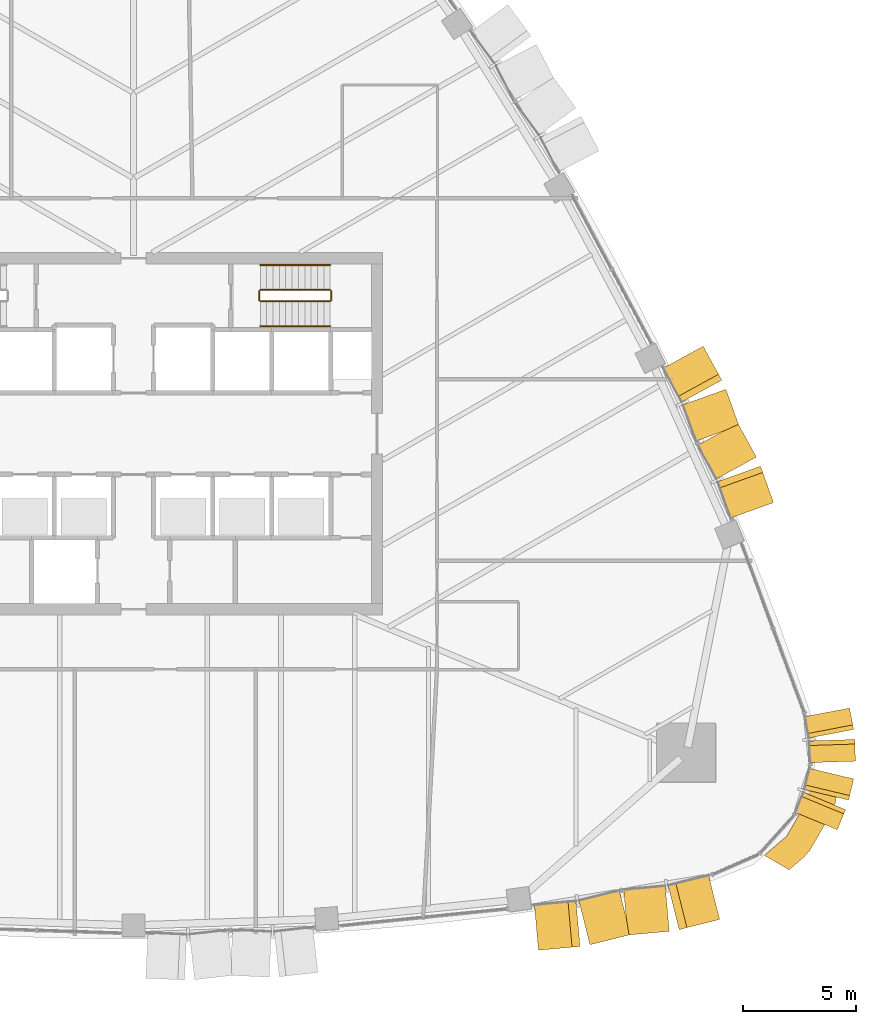
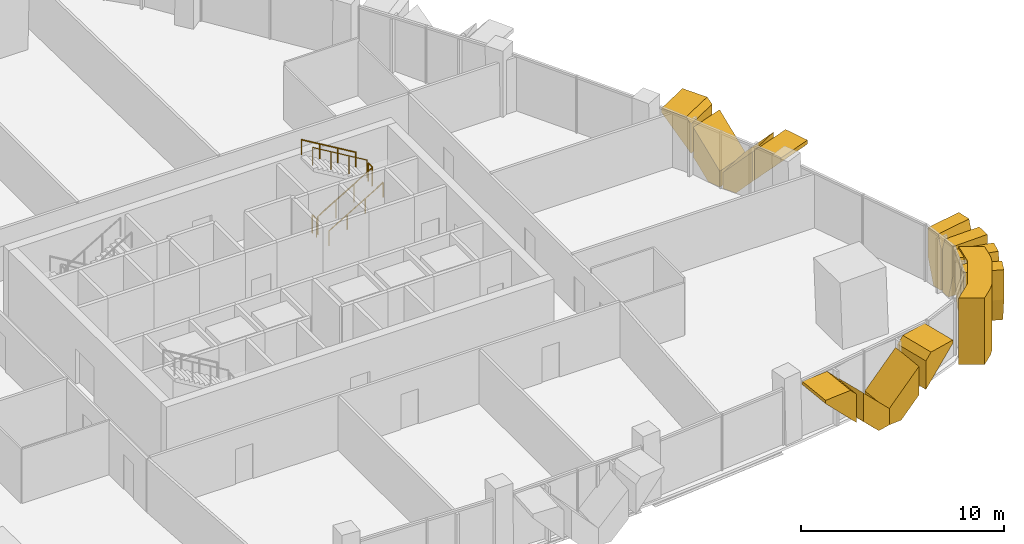
# One storey, part 15 of 17: 13 coverings, 6 railings.
"""IFC4 building model written with IfcOpenShell, lengths in metres."""

from ifc_helpers import new_model, si_unit, direction, frame, origin, origin_2d, place, context, subcontext, project, spatial, polyline, circle, outline, extrude, material, layer, layer_set, type_object, element, save


model = new_model("IFC4")

# Units and contexts
model_context = context("Model", 3, precision=1e-05, world=origin(), true_north=direction((0.0, 1.0)))
body_context = subcontext(model_context, "Body", "Model", "MODEL_VIEW")
ifc_project = project(units=[si_unit("LENGTHUNIT", "METRE"), si_unit("AREAUNIT", "SQUARE_METRE"), si_unit("VOLUMEUNIT", "CUBIC_METRE"), si_unit("PLANEANGLEUNIT", "RADIAN"), si_unit("MASSUNIT", "GRAM", prefix="KILO")], contexts=[model_context])

# Site, building, storey
site_placement = place(None, origin())
site = spatial("IfcSite", under=ifc_project, at=site_placement, CompositionType="ELEMENT")
building_placement = place(site_placement, origin())
building = spatial("IfcBuilding", under=site, at=building_placement, Name="Sierra Prisma Convention Tower", CompositionType="ELEMENT")
storey_placement = place(building_placement, frame((0.0, 0.0, 149.800048828125)))
storey = spatial("IfcBuildingStorey", under=building, at=storey_placement, Name="L32", CompositionType="ELEMENT", Elevation=149.800048828125)

# Coverings
ifc_material_1 = material(Name="Aluminium composite bronze anodised", Category="aluminium")
ifc_layer_1 = layer(ifc_material_1, 1.199951171875)
ifc_layer_set_1 = layer_set([ifc_layer_1], Name="Bronze corner pier")
covering_type_1 = type_object("IfcCoveringType", Name="Bronze corner pier", PredefinedType="CLADDING", material=ifc_layer_set_1)
covering_1_placement = place(storey_placement, frame((0.0, 0.0, -0.60009765625)))
element("IfcCovering", 1, at=covering_1_placement, inside=storey, type_object=covering_type_1, Name="Corner pier SE L32.1", PredefinedType="CLADDING", context=body_context, shape_type="SweptSolid", body=[
    extrude(outline(polyline([(30.986083984375, -16.313720703125), (30.845947265625, -16.692626953125), (29.879150390625, -18.366943359375), (29.62109375, -18.677978515625), (28.94921875, -19.254150390625), (27.84765625, -18.6181640625), (28.840087890625, -17.76708984375), (29.806640625, -16.0927734375), (30.047607421875, -14.8076171875), (31.149169921875, -15.443603515625), (30.986083984375, -16.313720703125)])), origin(), (0.0, 0.0, 1.0), 4.0),
])
ifc_material_2 = material(Name="Aluminium 6063-T6 bronze anodised", Category="aluminium")
ifc_layer_2 = layer(ifc_material_2, 2.0)
ifc_layer_set_2 = layer_set([ifc_layer_2], Name="Bronze crystal chevron frame")
covering_type_2 = type_object("IfcCoveringType", Name="Bronze crystal chevron frame", PredefinedType="CLADDING", material=ifc_layer_set_2)
covering_2_placement = place(storey_placement, frame((17.878173828125, -22.8037109375, 3.280029296875), z_axis=(0.089224557646, -0.996011535187, 9.385725e-06), x_axis=(8.37437e-07, -9.348291e-06, -0.999999999956)))
element("IfcCovering", 2, at=covering_2_placement, inside=storey, type_object=covering_type_2, Name="CW-2 chevron frame S6.1.1", PredefinedType="CLADDING", context=body_context, shape_type="SweptSolid", body=[
    extrude(outline(polyline([(0.0, 0.0), (0.19628906249135428, 0.0), (2.0693359374404694, 1.8442695661450614), (0.3588867187658075, 1.8442695661450614), (-1.6796807726959624e-10, 1.4910560431460478), (0.0, 0.0)])), origin(), (0.0, 0.0, -1.0), 2.0),
])
covering_3_placement = place(storey_placement, frame((20.15234375, -22.56494140625, 2.7890625), z_axis=(0.243984367503, -0.969779164344, 2.8621055e-05), x_axis=(6.98309e-06, -2.7756103e-05, -0.99999999959)))
element("IfcCovering", 3, at=covering_3_placement, inside=storey, type_object=covering_type_2, Name="CW-2 chevron frame S6.1.2", PredefinedType="CLADDING", context=body_context, shape_type="SweptSolid", body=[
    extrude(outline(polyline([(0.0, 0.0), (1.71020507742453, -1.4486000477334897e-21), (2.789062501892719, 1.0621010034346239), (2.7890624997414113, 1.8443030640584548), (1.873046875116595, 1.8443030640584548), (0.0, 0.0)])), origin(), (0.0, 0.0, -1.0), 2.0),
])
covering_4_placement = place(storey_placement, frame((22.597412109375, -22.06591796875, 0.0), z_axis=(0.089229638606, -0.996011079986, -1.1842715e-05), x_axis=(0.698751043897, 0.062590532376, 0.712621501156)))
element("IfcCovering", 4, at=covering_4_placement, inside=storey, type_object=covering_type_2, Name="CW-2 chevron frame S6.2.1", PredefinedType="CLADDING", context=body_context, shape_type="SweptSolid", body=[
    extrude(outline(polyline([(0.0, 0.0), (1.5139276888124211, 0.0), (2.7326565988706832, 1.199792170595614), (0.10403818335046733, 1.2000246937877088), (-0.5487342464194969, 0.5573951114786804), (0.0, 0.0)])), origin(), (0.0, 0.0, -1.0), 2.0),
])
covering_5_placement = place(storey_placement, frame((25.881103515625, -21.447021484375, 3.280029296875), z_axis=(0.243972278701, -0.969782205829, -2.1978517e-05), x_axis=(-0.969782206063, -0.24397227876, 6.18e-10)))
element("IfcCovering", 5, at=covering_5_placement, inside=storey, type_object=covering_type_2, Name="CW-2 chevron frame S6.2.2", PredefinedType="CLADDING", context=body_context, shape_type="SweptSolid", body=[
    extrude(outline(polyline([(0.0, 0.0), (1.4908615526509277, 0.0), (1.844303064078352, 0.3588867199760984), (1.84430306302163, 2.069335938312978), (-1.21268119986078e-10, 0.19628906245259078), (0.0, 0.0)])), origin(), (0.0, 0.0, -1.0), 2.0),
])
covering_6_placement = place(storey_placement, frame((31.0712890625, -17.4853515625, 3.280029296875), z_axis=(0.924531571062, -0.381105463058, -1.1697838e-05), x_axis=(-1.081502e-05, 4.45811e-06, -0.999999999932)))
element("IfcCovering", 6, at=covering_6_placement, inside=storey, type_object=covering_type_2, Name="CW-2 chevron frame SE3.1.1", PredefinedType="CLADDING", context=body_context, shape_type="SweptSolid", body=[
    extrude(outline(polyline([(0.0, 0.0), (1.7910156248774591, 0.0), (3.2800292969163034, 0.4042810992673176), (3.280029296780307, 0.9609444780154276), (0.7507324219533608, 0.9609444780154276), (-4.76807992639684e-10, 0.7571041679154542), (0.0, 0.0)])), origin(), (0.0, 0.0, -1.0), 2.0),
])
covering_7_placement = place(storey_placement, frame((31.573486328125, -16.1748046875, 0.0), z_axis=(0.972795823037, -0.231664165032, -3.6371282e-05), x_axis=(0.231664165185, 0.97279582368, -3.11e-09)))
element("IfcCovering", 7, at=covering_7_placement, inside=storey, type_object=covering_type_2, Name="CW-2 chevron frame SE3.1.2", PredefinedType="CLADDING", context=body_context, shape_type="SweptSolid", body=[
    extrude(outline(polyline([(0.0, 0.0), (0.5566356972997538, 8.470329472543003e-22), (0.9609650655650209, 1.4890136751898002), (0.9609650599958425, 3.2800292990051596), (0.20382153688910037, 3.280029300765538), (-7.86487033814534e-09, 2.5292968733270347), (0.0, 0.0)])), origin(), (0.0, 0.0, -1.0), 2.0),
])
covering_8_placement = place(storey_placement, frame((31.875244140625, -14.458251953125, 3.280029296875), z_axis=(0.999480610681, 0.032225892103, -2.7401663e-05), x_axis=(-2.7387431e-05, -8.83043e-07, -0.999999999625)))
element("IfcCovering", 8, at=covering_8_placement, inside=storey, type_object=covering_type_2, Name="CW-2 chevron frame SE4.1.1", PredefinedType="CLADDING", context=body_context, shape_type="SweptSolid", body=[
    extrude(outline(polyline([(0.0, 0.0), (1.791015624327607, 0.0), (3.2800292999124023, 0.40426772692195273), (3.28002929669643, 0.9609495635239079), (0.7507324226459927, 0.9609495635239079), (3.1974548221772994e-10, 0.7572296102260503), (0.0, 0.0)])), origin(), (0.0, 0.0, -1.0), 2.0),
])
covering_9_placement = place(storey_placement, frame((31.690673828125, -12.51025390625, 0.0), z_axis=(0.982124192824, 0.188234082508, 7.174911e-06), x_axis=(-0.04934818657, 0.25744075265, 0.965033168009)))
element("IfcCovering", 9, at=covering_9_placement, inside=storey, type_object=covering_type_2, Name="CW-2 chevron frame SE4.1.2", PredefinedType="CLADDING", context=body_context, shape_type="SweptSolid", body=[
    extrude(outline(polyline([(0.0, 0.0), (1.5429663160296743, 0.0), (3.2713557985766393, 0.46947498916347213), (3.072810555831857, 1.2004266207847667), (2.2949617683955426, 1.200111727376131), (-0.1458936077204005, 0.5371126968780979), (0.0, 0.0)])), origin(), (0.0, 0.0, -1.0), 2.0),
])
covering_10_placement = place(storey_placement, frame((28.259765625, -3.04150390625, 3.280029296875), z_axis=(0.941309946187, 0.337543454905, -3.5494945e-05), x_axis=(-3.3411744e-05, -1.1981086e-05, -0.99999999937)))
element("IfcCovering", 10, at=covering_10_placement, inside=storey, type_object=covering_type_2, Name="CW-2 chevron frame NE2.1.1", PredefinedType="CLADDING", context=body_context, shape_type="SweptSolid", body=[
    extrude(outline(polyline([(0.0, 0.0), (0.2336425779778179, 0.0), (2.0971679678333803, 1.7076476531087021), (0.3210449220772408, 1.7076476531087021), (-2.5320858037086974e-09, 1.4135007620243352), (0.0, 0.0)])), origin(), (0.0, 0.0, -1.0), 2.0),
])
covering_11_placement = place(storey_placement, frame((27.50146484375, -1.02978515625, 2.817138671875), z_axis=(0.876915101993, 0.480645299004, 2.1034519e-05), x_axis=(1.8445487e-05, 1.0110143e-05, -0.999999999779)))
element("IfcCovering", 11, at=covering_11_placement, inside=storey, type_object=covering_type_2, Name="CW-2 chevron frame NE2.1.2", PredefinedType="CLADDING", context=body_context, shape_type="SweptSolid", body=[
    extrude(outline(polyline([(0.0, 0.0), (1.7761230464820763, -3.008869478161638e-21), (2.81713867292015, 0.9540624821589554), (2.8171386717123754, 1.7077457842827775), (1.863525390673339, 1.7077457842827775), (0.0, 0.0)])), origin(), (0.0, 0.0, -1.0), 2.0),
])
covering_12_placement = place(storey_placement, frame((26.731689453125, 0.354736328125, 0.0), z_axis=(0.941294075205, 0.337587706539, -6.6169863e-05), x_axis=(-0.337587707279, 0.941294077265, -1.5856e-08)))
element("IfcCovering", 12, at=covering_12_placement, inside=storey, type_object=covering_type_2, Name="CW-2 chevron frame NE2.2.1", PredefinedType="CLADDING", context=body_context, shape_type="SweptSolid", body=[
    extrude(outline(polyline([(0.0, 0.0), (0.7537852947324205, 0.0), (1.7076476352510515, 1.0410156543554707), (1.7076476070888529, 2.817138697342137), (-1.5120487658669375e-08, 0.9536132791623254), (0.0, 0.0)])), origin(), (0.0, 0.0, -1.0), 2.0),
])
covering_13_placement = place(storey_placement, frame((25.15234375, 3.8642578125, 3.280029296875), z_axis=(0.876952248754, 0.480577520176, -2.2529255e-05), x_axis=(0.480577520298, -0.876952248976, 7.22e-10)))
element("IfcCovering", 13, at=covering_13_placement, inside=storey, type_object=covering_type_2, Name="CW-2 chevron frame NE2.2.2", PredefinedType="CLADDING", context=body_context, shape_type="SweptSolid", body=[
    extrude(outline(polyline([(0.0, 0.0), (1.4137233299047676, 1.6940658945086007e-21), (1.7079598803128277, 0.3210449231888777), (1.7079598790312418, 2.0971679696131265), (-1.685879931626953e-10, 0.2336425780657053), (0.0, 0.0)])), origin(), (0.0, 0.0, -1.0), 2.0),
])

# Railings
ifc_material_3 = material(Name="Stainless steel", Category="steel")
railing_type_1 = type_object("IfcRailingType", Name="Exit stair handrail", PredefinedType="HANDRAIL", material=ifc_material_3)
railing_1_placement = place(storey_placement, frame((5.60009765625, 4.75, 0.16650390625)))
element("IfcRailing", 14, at=railing_1_placement, inside=storey, type_object=railing_type_1, Name="L32 S4 stair handrail 1", PredefinedType="HANDRAIL", context=body_context, shape_type="SweptSolid", body=[
    extrude(circle(Radius=0.02392578125, at=origin_2d()), frame((0.0, 0.0, 0.8759765625), z_axis=(0.859260807169, 0.0, 0.511537745687), x_axis=(0.0, 1.0, 0.0)), (0.0, 0.0, 1.0), 3.584228515625),
    extrude(circle(Radius=0.02099609375, at=origin_2d()), origin(), (0.0, 0.0, 1.0), 0.851806640625),
    extrude(circle(Radius=0.02099609375, at=origin_2d()), frame((1.026611328125, 0.0, 0.611083984375)), (0.0, 0.0, 1.0), 0.851806640625),
    extrude(circle(Radius=0.02099609375, at=origin_2d()), frame((2.05322265625, 0.0, 1.222412109375)), (0.0, 0.0, 1.0), 0.851806640625),
    extrude(circle(Radius=0.02099609375, at=origin_2d()), frame((3.079833984375, 0.0, 1.83349609375)), (0.0, 0.0, 1.0), 0.851806640625),
])
railing_2_placement = place(storey_placement, frame((8.679931640625, 7.449951171875, 2.16650390625)))
element("IfcRailing", 15, at=railing_2_placement, inside=storey, type_object=railing_type_1, Name="L32 S4 stair handrail 2", PredefinedType="HANDRAIL", context=body_context, shape_type="SweptSolid", body=[
    extrude(circle(Radius=0.02392578125, at=origin_2d()), frame((0.0, 0.0, 0.8759765625), z_axis=(-0.859260807169, 0.0, 0.511537745687), x_axis=(0.0, -1.0, 0.0)), (0.0, 0.0, 1.0), 3.584228515625),
    extrude(circle(Radius=0.02099609375, at=origin_2d()), origin(), (0.0, 0.0, 1.0), 0.851806640625),
    extrude(circle(Radius=0.02099609375, at=origin_2d()), frame((-1.026611328125, 0.0, 0.611083984375)), (0.0, 0.0, 1.0), 0.851806640625),
    extrude(circle(Radius=0.02099609375, at=origin_2d()), frame((-2.05322265625, 0.0, 1.222412109375)), (0.0, 0.0, 1.0), 0.851806640625),
    extrude(circle(Radius=0.02099609375, at=origin_2d()), frame((-3.079833984375, 0.0, 1.83349609375)), (0.0, 0.0, 1.0), 0.851806640625),
])
ifc_material_4 = material(Name="Stainless steel", Category="steel")
railing_type_2 = type_object("IfcRailingType", Name="Stair guard 1100", PredefinedType="GUARDRAIL", material=ifc_material_4)
railing_3_placement = place(storey_placement, frame((5.60009765625, 5.85009765625, 0.16650390625)))
element("IfcRailing", 16, at=railing_3_placement, inside=storey, type_object=railing_type_2, Name="L32 S4 stair guard 1", PredefinedType="GUARDRAIL", context=body_context, shape_type="SweptSolid", body=[
    extrude(circle(Radius=0.02392578125, at=origin_2d()), frame((0.0, 0.0, 1.076171875), z_axis=(0.859260807169, 0.0, 0.511537745687), x_axis=(0.0, 1.0, 0.0)), (0.0, 0.0, 1.0), 3.584228515625),
    extrude(circle(Radius=0.02099609375, at=origin_2d()), origin(), (0.0, 0.0, 1.0), 1.052001953125),
    extrude(circle(Radius=0.02099609375, at=origin_2d()), frame((1.026611328125, 0.0, 0.611083984375)), (0.0, 0.0, 1.0), 1.052001953125),
    extrude(circle(Radius=0.02099609375, at=origin_2d()), frame((2.05322265625, 0.0, 1.222412109375)), (0.0, 0.0, 1.0), 1.052001953125),
    extrude(circle(Radius=0.02099609375, at=origin_2d()), frame((3.079833984375, 0.0, 1.83349609375)), (0.0, 0.0, 1.0), 1.052001953125),
])
railing_4_placement = place(storey_placement, frame((8.72998046875, 5.89990234375, 2.0)))
element("IfcRailing", 17, at=railing_4_placement, inside=storey, type_object=railing_type_2, Name="L32 S4 stair guard 2", PredefinedType="GUARDRAIL", context=body_context, shape_type="SweptSolid", body=[
    extrude(circle(Radius=0.02392578125, at=origin_2d()), frame((0.0, 0.0, 1.076171875), z_axis=(0.0, 1.0, 0.0), x_axis=(-1.0, 0.0, 0.0)), (0.0, 0.0, 1.0), 0.400146484375),
    extrude(circle(Radius=0.02099609375, at=origin_2d()), origin(), (0.0, 0.0, 1.0), 1.052001953125),
    extrude(circle(Radius=0.02099609375, at=origin_2d()), frame((0.0, 0.400146484375, 0.0)), (0.0, 0.0, 1.0), 1.052001953125),
])
railing_5_placement = place(storey_placement, frame((8.679931640625, 6.35009765625, 2.16650390625)))
element("IfcRailing", 18, at=railing_5_placement, inside=storey, type_object=railing_type_2, Name="L32 S4 stair guard 3", PredefinedType="GUARDRAIL", context=body_context, shape_type="SweptSolid", body=[
    extrude(circle(Radius=0.02392578125, at=origin_2d()), frame((0.0, 0.0, 1.076171875), z_axis=(-0.859260807169, 0.0, 0.511537745687), x_axis=(0.0, -1.0, 0.0)), (0.0, 0.0, 1.0), 3.584228515625),
    extrude(circle(Radius=0.02099609375, at=origin_2d()), origin(), (0.0, 0.0, 1.0), 1.052001953125),
    extrude(circle(Radius=0.02099609375, at=origin_2d()), frame((-1.026611328125, 0.0, 0.611083984375)), (0.0, 0.0, 1.0), 1.052001953125),
    extrude(circle(Radius=0.02099609375, at=origin_2d()), frame((-2.05322265625, 0.0, 1.222412109375)), (0.0, 0.0, 1.0), 1.052001953125),
    extrude(circle(Radius=0.02099609375, at=origin_2d()), frame((-3.079833984375, 0.0, 1.83349609375)), (0.0, 0.0, 1.0), 1.052001953125),
])
railing_6_placement = place(storey_placement, frame((5.550048828125, 5.89990234375, 0.0)))
element("IfcRailing", 19, at=railing_6_placement, inside=storey, type_object=railing_type_2, Name="L32 S4 stair guard 4", PredefinedType="GUARDRAIL", context=body_context, shape_type="SweptSolid", body=[
    extrude(circle(Radius=0.02392578125, at=origin_2d()), frame((0.0, 0.0, 1.076171875), z_axis=(0.0, 1.0, 0.0), x_axis=(-1.0, 0.0, 0.0)), (0.0, 0.0, 1.0), 0.400146484375),
    extrude(circle(Radius=0.02099609375, at=origin_2d()), origin(), (0.0, 0.0, 1.0), 1.052001953125),
    extrude(circle(Radius=0.02099609375, at=origin_2d()), frame((0.0, 0.400146484375, 0.0)), (0.0, 0.0, 1.0), 1.052001953125),
])

save(model, "model.ifc")
